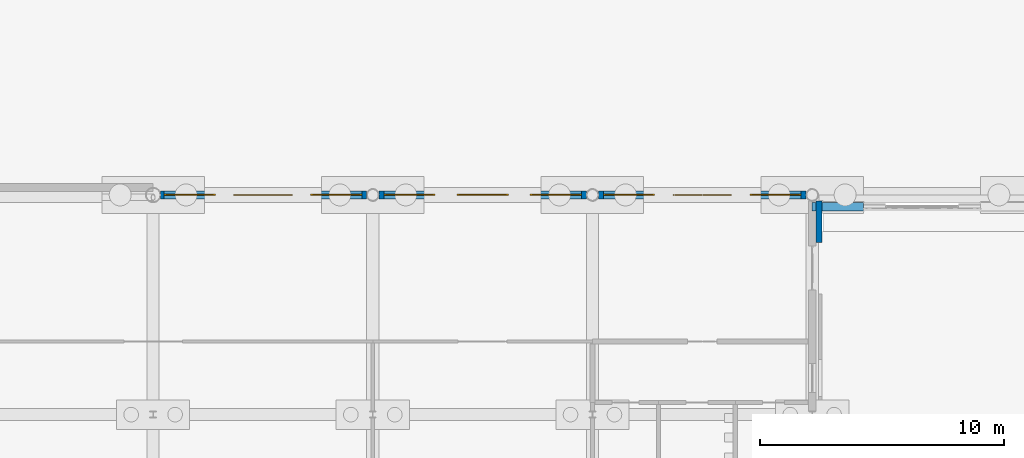
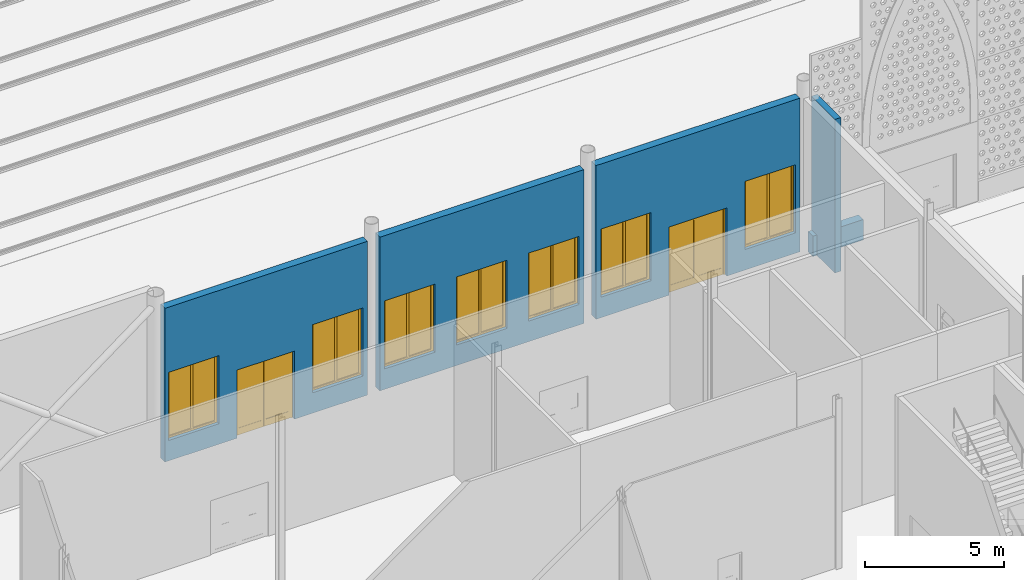
# One storey, part 120 of 250: 7 windows, 5 walls, 2 doors, 9 openings.
"""IFC4 building model written with IfcOpenShell, lengths in metres."""

from ifc_helpers import new_model, si_unit, direction, frame, frame_2d, origin, place, context, subcontext, project, spatial, polyline, rectangle, outline, extrude, material, layer, layer_set, type_object, element, fill, save


model = new_model("IFC4")

# Units and contexts
model_context = context("Model", 3, precision=1e-05, world=origin(), true_north=direction((0.0, 1.0)))
body_context = subcontext(model_context, "Body", "Model", "MODEL_VIEW")
ifc_project = project(units=[si_unit("LENGTHUNIT", "METRE"), si_unit("AREAUNIT", "SQUARE_METRE"), si_unit("VOLUMEUNIT", "CUBIC_METRE"), si_unit("PLANEANGLEUNIT", "RADIAN"), si_unit("MASSUNIT", "GRAM", prefix="KILO")], contexts=[model_context])

# Site, building, storey
site_placement = place(None, origin())
site = spatial("IfcSite", under=ifc_project, at=site_placement, CompositionType="ELEMENT")
building_placement = place(site_placement, origin())
building = spatial("IfcBuilding", under=site, at=building_placement, Name="Baradari Gate Terminus", CompositionType="ELEMENT")
storey_placement = place(building_placement, origin())
storey = spatial("IfcBuildingStorey", under=building, at=storey_placement, Name="L00", CompositionType="ELEMENT", Elevation=0.0)

# Walls
ifc_material_1 = material(Name="Concrete C40/50 precast", Category="concrete")
ifc_layer_1 = layer(ifc_material_1, 0.3)
ifc_material_2 = material(Name="Reconstituted stone", Category="masonry")
ifc_layer_2 = layer(ifc_material_2, 0.05)
ifc_layer_set_1 = layer_set([ifc_layer_1, ifc_layer_2], Name="Concrete C40/50 precast")
wall_type_1 = type_object("IfcWallType", Name="Jali screen base wall WJ-1 350", PredefinedType="SOLIDWALL", material=ifc_layer_set_1)
wall_1_placement = place(storey_placement, frame((153.0, 35.52001953125, 0.0), z_axis=(0.0, 0.0, 1.0), x_axis=(1.0, 0.0, 0.0)))
element("IfcWall", 1, at=wall_1_placement, inside=storey, type_object=wall_type_1, Name="Jali screen base wall SC bay 1", PredefinedType="SOLIDWALL", context=body_context, shape_type="SweptSolid", body=[
    extrude(rectangle(XDim=2.10009765625, YDim=0.35009765625, at=frame_2d((1.050048828125, 0.0))), origin(), (0.0, 0.0, 1.0), 0.89990234375),
])
ifc_material_3 = material(Name="Laterite masonry", Category="masonry")
ifc_layer_3 = layer(ifc_material_3, 0.25)
ifc_layer_set_2 = layer_set([ifc_layer_3], Name="Laterite masonry")
wall_type_2 = type_object("IfcWallType", Name="Laterite masonry wall WP-1 250", PredefinedType="SOLIDWALL", material=ifc_layer_set_2)
wall_2_placement = place(storey_placement, frame((153.284912109375, 34.050048828125, 0.0), z_axis=(0.0, 0.0, 1.0), x_axis=(0.0, 1.0, 0.0)))
element("IfcWall", 2, at=wall_2_placement, inside=storey, type_object=wall_type_2, Name="Front course SE 1b 1", PredefinedType="SOLIDWALL", context=body_context, shape_type="SweptSolid", body=[
    extrude(outline(polyline([(0.0, 0.0), (1.696044921875, 0.0), (1.696044921875, 6.767333984375), (0.0, 6.767333984375), (0.0, 0.0)])), frame((0.0, 0.125, 0.0), z_axis=(0.0, -1.0, 0.0), x_axis=(1.0, 0.0, 0.0)), (0.0, 0.0, 1.0), 0.25),
])

# Wall, openings, door, windows
ifc_material_4 = material(Name="Sandstone masonry", Category="masonry")
ifc_layer_4 = layer(ifc_material_4, 0.320068359375)
ifc_layer_set_3 = layer_set([ifc_layer_4], Name="Sandstone masonry")
wall_type_3 = type_object("IfcWallType", Name="Sandstone masonry wall WS-3 320", PredefinedType="SOLIDWALL", material=ifc_layer_set_3)
wall_3_placement = place(storey_placement, frame((126.304931640625, 36.0, 0.0), z_axis=(0.0, 0.0, 1.0), x_axis=(1.0, 0.0, 0.0)))
wall_3 = element("IfcWall", 3, at=wall_3_placement, inside=storey, type_object=wall_type_3, Name="platform side SN bay 15 L00", PredefinedType="SOLIDWALL", context=body_context, shape_type="SweptSolid", body=[
    extrude(rectangle(XDim=8.441162109375, YDim=0.320068359375, at=frame_2d((4.220703125, 0.0))), origin(), (0.0, 0.0, 1.0), 6.767333984375),
])
opening_1_placement = place(wall_3_placement, frame((2.9951171875, 0.0, 0.0)))
opening_1 = element("IfcOpeningElement", 4, at=opening_1_placement, cuts=wall_3, Name="Opening D00-056", PredefinedType="OPENING", context=body_context, shape_type="SweptSolid", body=[
    extrude(rectangle(XDim=2.39990234375, YDim=3.0, at=frame_2d((1.199951171875, 1.5))), frame((0.0, 0.169921875, 0.0), z_axis=(0.0, -1.0, 0.0), x_axis=(1.0, 0.0, 0.0)), (0.0, 0.0, 1.0), 0.340087890625),
])
opening_2_placement = place(wall_3_placement, frame((0.14501953125, 0.0, 0.89990234375)))
opening_2 = element("IfcOpeningElement", 5, at=opening_2_placement, cuts=wall_3, Name="Opening W8", PredefinedType="OPENING", context=body_context, shape_type="SweptSolid", body=[
    extrude(rectangle(XDim=2.10009765625, YDim=3.0, at=frame_2d((1.050048828125, 1.5))), frame((0.0, 0.169921875, 0.0), z_axis=(0.0, -1.0, 0.0), x_axis=(1.0, 0.0, 0.0)), (0.0, 0.0, 1.0), 0.340087890625),
])
opening_3_placement = place(wall_3_placement, frame((6.14501953125, 0.0, 0.89990234375)))
opening_3 = element("IfcOpeningElement", 6, at=opening_3_placement, cuts=wall_3, Name="Opening W8", PredefinedType="OPENING", context=body_context, shape_type="SweptSolid", body=[
    extrude(rectangle(XDim=2.10009765625, YDim=3.0, at=frame_2d((1.050048828125, 1.5))), frame((0.0, 0.169921875, 0.0), z_axis=(0.0, -1.0, 0.0), x_axis=(1.0, 0.0, 0.0)), (0.0, 0.0, 1.0), 0.340087890625),
])
ifc_material_5 = material(Name="Aluminium 6063-T6", Category="aluminium")
door_type = type_object("IfcDoorType", Name="Platform door pair, glazed DT-7 2400x3000", OperationType="DOUBLE_DOOR_SINGLE_SWING", PredefinedType="DOOR", material=ifc_material_5)
door_1_placement = place(opening_1_placement, origin())
door_1 = element("IfcDoor", 7, at=door_1_placement, inside=storey, type_object=door_type, Name="Exit door Corridor (Platform Passage South)", OperationType="DOUBLE_DOOR_SINGLE_SWING", OverallHeight=3.0, OverallWidth=2.4, PredefinedType="DOOR", context=body_context, shape_type="SweptSolid", body=[
    extrude(outline(polyline([(0.0, 0.0), (0.070068359375, 0.0), (0.070068359375, 2.929931640625), (2.329833984375, 2.929931640625), (2.329833984375, 0.0), (2.39990234375, 0.0), (2.39990234375, 3.0), (0.0, 3.0), (0.0, 0.0)])), frame((0.0, 0.02490234375, 0.0), z_axis=(0.0, -1.0, 0.0), x_axis=(1.0, 0.0, 0.0)), (0.0, 0.0, 1.0), 0.050048828125),
    extrude(outline(polyline([(0.073974609375, 0.010009765625), (1.19677734375, 0.010009765625), (1.19677734375, 2.926025390625), (0.073974609375, 2.926025390625), (0.073974609375, 0.010009765625)]), holes=[polyline([(0.1640625, 0.31005859375), (1.10693359375, 0.31005859375), (1.10693359375, 2.8359375), (0.1640625, 2.8359375), (0.1640625, 0.31005859375)])]), frame((0.0, 0.017333984375, 0.0), z_axis=(0.0, -1.0, 0.0), x_axis=(1.0, 0.0, 0.0)), (0.0, 0.0, 1.0), 0.034912109375),
    extrude(rectangle(XDim=0.94287109375, YDim=2.52587890625, at=frame_2d((0.635498046875, 1.572998046875))), frame((0.0, 0.005859375, 0.0), z_axis=(0.0, -1.0, 0.0), x_axis=(1.0, 0.0, 0.0)), (0.0, 0.0, 1.0), 0.011962890625),
    extrude(outline(polyline([(1.203125, 0.010009765625), (2.325927734375, 0.010009765625), (2.325927734375, 2.926025390625), (1.203125, 2.926025390625), (1.203125, 0.010009765625)]), holes=[polyline([(1.29296875, 0.31005859375), (2.23583984375, 0.31005859375), (2.23583984375, 2.8359375), (1.29296875, 2.8359375), (1.29296875, 0.31005859375)])]), frame((0.0, 0.017333984375, 0.0), z_axis=(0.0, -1.0, 0.0), x_axis=(1.0, 0.0, 0.0)), (0.0, 0.0, 1.0), 0.034912109375),
    extrude(rectangle(XDim=0.94287109375, YDim=2.52587890625, at=frame_2d((1.764404296875, 1.572998046875))), frame((0.0, 0.005859375, 0.0), z_axis=(0.0, -1.0, 0.0), x_axis=(1.0, 0.0, 0.0)), (0.0, 0.0, 1.0), 0.011962890625),
])
fill(opening_1, door_1)
ifc_material_6 = material(Name="Aluminium 6063-T6", Category="aluminium")
window_type = type_object("IfcWindowType", Name="Platform-side window, 2-light W8 2100x3000", PartitioningType="DOUBLE_PANEL_VERTICAL", PredefinedType="WINDOW", material=ifc_material_6)
window_1_placement = place(opening_2_placement, origin())
window_1 = element("IfcWindow", 8, at=window_1_placement, inside=storey, type_object=window_type, Name="Window W8 SN/14", OverallHeight=3.0, OverallWidth=2.1, PartitioningType="DOUBLE_PANEL_VERTICAL", PredefinedType="WINDOW", context=body_context, shape_type="SweptSolid", body=[
    extrude(outline(polyline([(0.0, 0.0), (2.10009765625, 0.0), (2.10009765625, 3.0), (0.0, 3.0), (0.0, 0.0)]), holes=[polyline([(0.070068359375, 0.070068359375), (2.030029296875, 0.070068359375), (2.030029296875, 2.929931640625), (0.070068359375, 2.929931640625), (0.070068359375, 0.070068359375)])]), frame((0.0, 0.030029296875, 0.0), z_axis=(0.0, -1.0, 0.0), x_axis=(1.0, 0.0, 0.0)), (0.0, 0.0, 1.0), 0.06005859375),
    extrude(rectangle(XDim=0.0400390625, YDim=2.85986328125, at=frame_2d((1.050048828125, 1.5))), frame((0.0, 0.02197265625, 0.0), z_axis=(0.0, -1.0, 0.0), x_axis=(1.0, 0.0, 0.0)), (0.0, 0.0, 1.0), 0.0439453125),
    extrude(outline(polyline([(0.070068359375, 0.070068359375), (1.030029296875, 0.070068359375), (1.030029296875, 2.929931640625), (0.070068359375, 2.929931640625), (0.070068359375, 0.070068359375)]), holes=[polyline([(0.10009765625, 0.10009765625), (1.0, 0.10009765625), (1.0, 2.89990234375), (0.10009765625, 2.89990234375), (0.10009765625, 0.10009765625)])]), frame((0.0, 0.0224609375, 0.0), z_axis=(0.0, -1.0, 0.0), x_axis=(1.0, 0.0, 0.0)), (0.0, 0.0, 1.0), 0.044921875),
    extrude(rectangle(XDim=0.89990234375, YDim=2.7998046875, at=frame_2d((0.550048828125, 1.5))), frame((0.0, 0.006103515625, 0.0), z_axis=(0.0, -1.0, 0.0), x_axis=(1.0, 0.0, 0.0)), (0.0, 0.0, 1.0), 0.01220703125),
    extrude(outline(polyline([(1.070068359375, 0.070068359375), (2.030029296875, 0.070068359375), (2.030029296875, 2.929931640625), (1.070068359375, 2.929931640625), (1.070068359375, 0.070068359375)]), holes=[polyline([(1.10009765625, 0.10009765625), (2.0, 0.10009765625), (2.0, 2.89990234375), (1.10009765625, 2.89990234375), (1.10009765625, 0.10009765625)])]), frame((0.0, 0.0224609375, 0.0), z_axis=(0.0, -1.0, 0.0), x_axis=(1.0, 0.0, 0.0)), (0.0, 0.0, 1.0), 0.044921875),
    extrude(rectangle(XDim=0.89990234375, YDim=2.7998046875, at=frame_2d((1.550048828125, 1.5))), frame((0.0, 0.006103515625, 0.0), z_axis=(0.0, -1.0, 0.0), x_axis=(1.0, 0.0, 0.0)), (0.0, 0.0, 1.0), 0.01220703125),
])
fill(opening_2, window_1)
window_2_placement = place(opening_3_placement, origin())
window_2 = element("IfcWindow", 9, at=window_2_placement, inside=storey, type_object=window_type, Name="Window W8 SN/14", OverallHeight=3.0, OverallWidth=2.1, PartitioningType="DOUBLE_PANEL_VERTICAL", PredefinedType="WINDOW", context=body_context, shape_type="SweptSolid", body=[
    extrude(outline(polyline([(0.0, 0.0), (2.10009765625, 0.0), (2.10009765625, 3.0), (0.0, 3.0), (0.0, 0.0)]), holes=[polyline([(0.070068359375, 0.070068359375), (2.030029296875, 0.070068359375), (2.030029296875, 2.929931640625), (0.070068359375, 2.929931640625), (0.070068359375, 0.070068359375)])]), frame((0.0, 0.030029296875, 0.0), z_axis=(0.0, -1.0, 0.0), x_axis=(1.0, 0.0, 0.0)), (0.0, 0.0, 1.0), 0.06005859375),
    extrude(rectangle(XDim=0.0400390625, YDim=2.85986328125, at=frame_2d((1.050048828125, 1.5))), frame((0.0, 0.02197265625, 0.0), z_axis=(0.0, -1.0, 0.0), x_axis=(1.0, 0.0, 0.0)), (0.0, 0.0, 1.0), 0.0439453125),
    extrude(outline(polyline([(0.070068359375, 0.070068359375), (1.030029296875, 0.070068359375), (1.030029296875, 2.929931640625), (0.070068359375, 2.929931640625), (0.070068359375, 0.070068359375)]), holes=[polyline([(0.10009765625, 0.10009765625), (1.0, 0.10009765625), (1.0, 2.89990234375), (0.10009765625, 2.89990234375), (0.10009765625, 0.10009765625)])]), frame((0.0, 0.0224609375, 0.0), z_axis=(0.0, -1.0, 0.0), x_axis=(1.0, 0.0, 0.0)), (0.0, 0.0, 1.0), 0.044921875),
    extrude(rectangle(XDim=0.89990234375, YDim=2.7998046875, at=frame_2d((0.550048828125, 1.5))), frame((0.0, 0.006103515625, 0.0), z_axis=(0.0, -1.0, 0.0), x_axis=(1.0, 0.0, 0.0)), (0.0, 0.0, 1.0), 0.01220703125),
    extrude(outline(polyline([(1.070068359375, 0.070068359375), (2.030029296875, 0.070068359375), (2.030029296875, 2.929931640625), (1.070068359375, 2.929931640625), (1.070068359375, 0.070068359375)]), holes=[polyline([(1.10009765625, 0.10009765625), (2.0, 0.10009765625), (2.0, 2.89990234375), (1.10009765625, 2.89990234375), (1.10009765625, 0.10009765625)])]), frame((0.0, 0.0224609375, 0.0), z_axis=(0.0, -1.0, 0.0), x_axis=(1.0, 0.0, 0.0)), (0.0, 0.0, 1.0), 0.044921875),
    extrude(rectangle(XDim=0.89990234375, YDim=2.7998046875, at=frame_2d((1.550048828125, 1.5))), frame((0.0, 0.006103515625, 0.0), z_axis=(0.0, -1.0, 0.0), x_axis=(1.0, 0.0, 0.0)), (0.0, 0.0, 1.0), 0.01220703125),
])
fill(opening_3, window_2)

# Wall, openings, windows
wall_4_placement = place(storey_placement, frame((135.25390625, 36.0, 0.0), z_axis=(0.0, 0.0, 1.0), x_axis=(1.0, 0.0, 0.0)))
wall_4 = element("IfcWall", 10, at=wall_4_placement, inside=storey, type_object=wall_type_3, Name="platform side wall SN bay 16 L00", PredefinedType="SOLIDWALL", context=body_context, shape_type="SweptSolid", body=[
    extrude(rectangle(XDim=8.4921875, YDim=0.320068359375, at=frame_2d((4.24609375, 0.0))), origin(), (0.0, 0.0, 1.0), 6.767333984375),
])
opening_4_placement = place(wall_4_placement, frame((0.196044921875, 0.0, 0.89990234375)))
opening_4 = element("IfcOpeningElement", 11, at=opening_4_placement, cuts=wall_4, Name="Opening W8", PredefinedType="OPENING", context=body_context, shape_type="SweptSolid", body=[
    extrude(rectangle(XDim=2.10009765625, YDim=3.0, at=frame_2d((1.050048828125, 1.5))), frame((0.0, 0.169921875, 0.0), z_axis=(0.0, -1.0, 0.0), x_axis=(1.0, 0.0, 0.0)), (0.0, 0.0, 1.0), 0.340087890625),
])
opening_5_placement = place(wall_4_placement, frame((3.196044921875, 0.0, 0.89990234375)))
opening_5 = element("IfcOpeningElement", 12, at=opening_5_placement, cuts=wall_4, Name="Opening W8", PredefinedType="OPENING", context=body_context, shape_type="SweptSolid", body=[
    extrude(rectangle(XDim=2.10009765625, YDim=3.0, at=frame_2d((1.050048828125, 1.5))), frame((0.0, 0.169921875, 0.0), z_axis=(0.0, -1.0, 0.0), x_axis=(1.0, 0.0, 0.0)), (0.0, 0.0, 1.0), 0.340087890625),
])
opening_6_placement = place(wall_4_placement, frame((6.196044921875, 0.0, 0.89990234375)))
opening_6 = element("IfcOpeningElement", 13, at=opening_6_placement, cuts=wall_4, Name="Opening W8", PredefinedType="OPENING", context=body_context, shape_type="SweptSolid", body=[
    extrude(rectangle(XDim=2.10009765625, YDim=3.0, at=frame_2d((1.050048828125, 1.5))), frame((0.0, 0.169921875, 0.0), z_axis=(0.0, -1.0, 0.0), x_axis=(1.0, 0.0, 0.0)), (0.0, 0.0, 1.0), 0.340087890625),
])
window_3_placement = place(opening_4_placement, origin())
window_3 = element("IfcWindow", 14, at=window_3_placement, inside=storey, type_object=window_type, Name="Window W8 SN/15", OverallHeight=3.0, OverallWidth=2.1, PartitioningType="DOUBLE_PANEL_VERTICAL", PredefinedType="WINDOW", context=body_context, shape_type="SweptSolid", body=[
    extrude(outline(polyline([(0.0, 0.0), (2.10009765625, 0.0), (2.10009765625, 3.0), (0.0, 3.0), (0.0, 0.0)]), holes=[polyline([(0.070068359375, 0.070068359375), (2.030029296875, 0.070068359375), (2.030029296875, 2.929931640625), (0.070068359375, 2.929931640625), (0.070068359375, 0.070068359375)])]), frame((0.0, 0.030029296875, 0.0), z_axis=(0.0, -1.0, 0.0), x_axis=(1.0, 0.0, 0.0)), (0.0, 0.0, 1.0), 0.06005859375),
    extrude(rectangle(XDim=0.0400390625, YDim=2.85986328125, at=frame_2d((1.050048828125, 1.5))), frame((0.0, 0.02197265625, 0.0), z_axis=(0.0, -1.0, 0.0), x_axis=(1.0, 0.0, 0.0)), (0.0, 0.0, 1.0), 0.0439453125),
    extrude(outline(polyline([(0.070068359375, 0.070068359375), (1.030029296875, 0.070068359375), (1.030029296875, 2.929931640625), (0.070068359375, 2.929931640625), (0.070068359375, 0.070068359375)]), holes=[polyline([(0.10009765625, 0.10009765625), (1.0, 0.10009765625), (1.0, 2.89990234375), (0.10009765625, 2.89990234375), (0.10009765625, 0.10009765625)])]), frame((0.0, 0.0224609375, 0.0), z_axis=(0.0, -1.0, 0.0), x_axis=(1.0, 0.0, 0.0)), (0.0, 0.0, 1.0), 0.044921875),
    extrude(rectangle(XDim=0.89990234375, YDim=2.7998046875, at=frame_2d((0.550048828125, 1.5))), frame((0.0, 0.006103515625, 0.0), z_axis=(0.0, -1.0, 0.0), x_axis=(1.0, 0.0, 0.0)), (0.0, 0.0, 1.0), 0.01220703125),
    extrude(outline(polyline([(1.070068359375, 0.070068359375), (2.030029296875, 0.070068359375), (2.030029296875, 2.929931640625), (1.070068359375, 2.929931640625), (1.070068359375, 0.070068359375)]), holes=[polyline([(1.10009765625, 0.10009765625), (2.0, 0.10009765625), (2.0, 2.89990234375), (1.10009765625, 2.89990234375), (1.10009765625, 0.10009765625)])]), frame((0.0, 0.0224609375, 0.0), z_axis=(0.0, -1.0, 0.0), x_axis=(1.0, 0.0, 0.0)), (0.0, 0.0, 1.0), 0.044921875),
    extrude(rectangle(XDim=0.89990234375, YDim=2.7998046875, at=frame_2d((1.550048828125, 1.5))), frame((0.0, 0.006103515625, 0.0), z_axis=(0.0, -1.0, 0.0), x_axis=(1.0, 0.0, 0.0)), (0.0, 0.0, 1.0), 0.01220703125),
])
fill(opening_4, window_3)
window_4_placement = place(opening_5_placement, origin())
window_4 = element("IfcWindow", 15, at=window_4_placement, inside=storey, type_object=window_type, Name="Window W8 SN/15", OverallHeight=3.0, OverallWidth=2.1, PartitioningType="DOUBLE_PANEL_VERTICAL", PredefinedType="WINDOW", context=body_context, shape_type="SweptSolid", body=[
    extrude(outline(polyline([(0.0, 0.0), (2.10009765625, 0.0), (2.10009765625, 3.0), (0.0, 3.0), (0.0, 0.0)]), holes=[polyline([(0.070068359375, 0.070068359375), (2.030029296875, 0.070068359375), (2.030029296875, 2.929931640625), (0.070068359375, 2.929931640625), (0.070068359375, 0.070068359375)])]), frame((0.0, 0.030029296875, 0.0), z_axis=(0.0, -1.0, 0.0), x_axis=(1.0, 0.0, 0.0)), (0.0, 0.0, 1.0), 0.06005859375),
    extrude(rectangle(XDim=0.0400390625, YDim=2.85986328125, at=frame_2d((1.050048828125, 1.5))), frame((0.0, 0.02197265625, 0.0), z_axis=(0.0, -1.0, 0.0), x_axis=(1.0, 0.0, 0.0)), (0.0, 0.0, 1.0), 0.0439453125),
    extrude(outline(polyline([(0.070068359375, 0.070068359375), (1.030029296875, 0.070068359375), (1.030029296875, 2.929931640625), (0.070068359375, 2.929931640625), (0.070068359375, 0.070068359375)]), holes=[polyline([(0.10009765625, 0.10009765625), (1.0, 0.10009765625), (1.0, 2.89990234375), (0.10009765625, 2.89990234375), (0.10009765625, 0.10009765625)])]), frame((0.0, 0.0224609375, 0.0), z_axis=(0.0, -1.0, 0.0), x_axis=(1.0, 0.0, 0.0)), (0.0, 0.0, 1.0), 0.044921875),
    extrude(rectangle(XDim=0.89990234375, YDim=2.7998046875, at=frame_2d((0.550048828125, 1.5))), frame((0.0, 0.006103515625, 0.0), z_axis=(0.0, -1.0, 0.0), x_axis=(1.0, 0.0, 0.0)), (0.0, 0.0, 1.0), 0.01220703125),
    extrude(outline(polyline([(1.070068359375, 0.070068359375), (2.030029296875, 0.070068359375), (2.030029296875, 2.929931640625), (1.070068359375, 2.929931640625), (1.070068359375, 0.070068359375)]), holes=[polyline([(1.10009765625, 0.10009765625), (2.0, 0.10009765625), (2.0, 2.89990234375), (1.10009765625, 2.89990234375), (1.10009765625, 0.10009765625)])]), frame((0.0, 0.0224609375, 0.0), z_axis=(0.0, -1.0, 0.0), x_axis=(1.0, 0.0, 0.0)), (0.0, 0.0, 1.0), 0.044921875),
    extrude(rectangle(XDim=0.89990234375, YDim=2.7998046875, at=frame_2d((1.550048828125, 1.5))), frame((0.0, 0.006103515625, 0.0), z_axis=(0.0, -1.0, 0.0), x_axis=(1.0, 0.0, 0.0)), (0.0, 0.0, 1.0), 0.01220703125),
])
fill(opening_5, window_4)
window_5_placement = place(opening_6_placement, origin())
window_5 = element("IfcWindow", 16, at=window_5_placement, inside=storey, type_object=window_type, Name="Window W8 SN/15", OverallHeight=3.0, OverallWidth=2.1, PartitioningType="DOUBLE_PANEL_VERTICAL", PredefinedType="WINDOW", context=body_context, shape_type="SweptSolid", body=[
    extrude(outline(polyline([(0.0, 0.0), (2.10009765625, 0.0), (2.10009765625, 3.0), (0.0, 3.0), (0.0, 0.0)]), holes=[polyline([(0.070068359375, 0.070068359375), (2.030029296875, 0.070068359375), (2.030029296875, 2.929931640625), (0.070068359375, 2.929931640625), (0.070068359375, 0.070068359375)])]), frame((0.0, 0.030029296875, 0.0), z_axis=(0.0, -1.0, 0.0), x_axis=(1.0, 0.0, 0.0)), (0.0, 0.0, 1.0), 0.06005859375),
    extrude(rectangle(XDim=0.0400390625, YDim=2.85986328125, at=frame_2d((1.050048828125, 1.5))), frame((0.0, 0.02197265625, 0.0), z_axis=(0.0, -1.0, 0.0), x_axis=(1.0, 0.0, 0.0)), (0.0, 0.0, 1.0), 0.0439453125),
    extrude(outline(polyline([(0.070068359375, 0.070068359375), (1.030029296875, 0.070068359375), (1.030029296875, 2.929931640625), (0.070068359375, 2.929931640625), (0.070068359375, 0.070068359375)]), holes=[polyline([(0.10009765625, 0.10009765625), (1.0, 0.10009765625), (1.0, 2.89990234375), (0.10009765625, 2.89990234375), (0.10009765625, 0.10009765625)])]), frame((0.0, 0.0224609375, 0.0), z_axis=(0.0, -1.0, 0.0), x_axis=(1.0, 0.0, 0.0)), (0.0, 0.0, 1.0), 0.044921875),
    extrude(rectangle(XDim=0.89990234375, YDim=2.7998046875, at=frame_2d((0.550048828125, 1.5))), frame((0.0, 0.006103515625, 0.0), z_axis=(0.0, -1.0, 0.0), x_axis=(1.0, 0.0, 0.0)), (0.0, 0.0, 1.0), 0.01220703125),
    extrude(outline(polyline([(1.070068359375, 0.070068359375), (2.030029296875, 0.070068359375), (2.030029296875, 2.929931640625), (1.070068359375, 2.929931640625), (1.070068359375, 0.070068359375)]), holes=[polyline([(1.10009765625, 0.10009765625), (2.0, 0.10009765625), (2.0, 2.89990234375), (1.10009765625, 2.89990234375), (1.10009765625, 0.10009765625)])]), frame((0.0, 0.0224609375, 0.0), z_axis=(0.0, -1.0, 0.0), x_axis=(1.0, 0.0, 0.0)), (0.0, 0.0, 1.0), 0.044921875),
    extrude(rectangle(XDim=0.89990234375, YDim=2.7998046875, at=frame_2d((1.550048828125, 1.5))), frame((0.0, 0.006103515625, 0.0), z_axis=(0.0, -1.0, 0.0), x_axis=(1.0, 0.0, 0.0)), (0.0, 0.0, 1.0), 0.01220703125),
])
fill(opening_6, window_5)

# Wall, openings, door, windows
wall_5_placement = place(storey_placement, frame((144.25390625, 36.0, 0.0), z_axis=(0.0, 0.0, 1.0), x_axis=(1.0, 0.0, 0.0)))
wall_5 = element("IfcWall", 17, at=wall_5_placement, inside=storey, type_object=wall_type_3, Name="platform side SN bay 17 L00", PredefinedType="SOLIDWALL", context=body_context, shape_type="SweptSolid", body=[
    extrude(rectangle(XDim=8.4921875, YDim=0.320068359375, at=frame_2d((4.24609375, 0.0))), origin(), (0.0, 0.0, 1.0), 6.767333984375),
])
opening_7_placement = place(wall_5_placement, frame((3.0458984375, 0.0, 0.0)))
opening_7 = element("IfcOpeningElement", 18, at=opening_7_placement, cuts=wall_5, Name="Opening D00-057", PredefinedType="OPENING", context=body_context, shape_type="SweptSolid", body=[
    extrude(rectangle(XDim=2.39990234375, YDim=3.0, at=frame_2d((1.199951171875, 1.5))), frame((0.0, 0.169921875, 0.0), z_axis=(0.0, -1.0, 0.0), x_axis=(1.0, 0.0, 0.0)), (0.0, 0.0, 1.0), 0.340087890625),
])
opening_8_placement = place(wall_5_placement, frame((0.196044921875, 0.0, 0.89990234375)))
opening_8 = element("IfcOpeningElement", 19, at=opening_8_placement, cuts=wall_5, Name="Opening W8", PredefinedType="OPENING", context=body_context, shape_type="SweptSolid", body=[
    extrude(rectangle(XDim=2.10009765625, YDim=3.0, at=frame_2d((1.050048828125, 1.5))), frame((0.0, 0.169921875, 0.0), z_axis=(0.0, -1.0, 0.0), x_axis=(1.0, 0.0, 0.0)), (0.0, 0.0, 1.0), 0.340087890625),
])
opening_9_placement = place(wall_5_placement, frame((6.196044921875, 0.0, 0.89990234375)))
opening_9 = element("IfcOpeningElement", 20, at=opening_9_placement, cuts=wall_5, Name="Opening W8", PredefinedType="OPENING", context=body_context, shape_type="SweptSolid", body=[
    extrude(rectangle(XDim=2.10009765625, YDim=3.0, at=frame_2d((1.050048828125, 1.5))), frame((0.0, 0.169921875, 0.0), z_axis=(0.0, -1.0, 0.0), x_axis=(1.0, 0.0, 0.0)), (0.0, 0.0, 1.0), 0.340087890625),
])
door_2_placement = place(opening_7_placement, origin())
door_2 = element("IfcDoor", 21, at=door_2_placement, inside=storey, type_object=door_type, Name="Exit door Corridor (Platform Passage South)", OperationType="DOUBLE_DOOR_SINGLE_SWING", OverallHeight=3.0, OverallWidth=2.4, PredefinedType="DOOR", context=body_context, shape_type="SweptSolid", body=[
    extrude(outline(polyline([(0.0, 0.0), (0.070068359375, 0.0), (0.070068359375, 2.929931640625), (2.329833984375, 2.929931640625), (2.329833984375, 0.0), (2.39990234375, 0.0), (2.39990234375, 3.0), (0.0, 3.0), (0.0, 0.0)])), frame((0.0, 0.02490234375, 0.0), z_axis=(0.0, -1.0, 0.0), x_axis=(1.0, 0.0, 0.0)), (0.0, 0.0, 1.0), 0.050048828125),
    extrude(outline(polyline([(0.073974609375, 0.010009765625), (1.19677734375, 0.010009765625), (1.19677734375, 2.926025390625), (0.073974609375, 2.926025390625), (0.073974609375, 0.010009765625)]), holes=[polyline([(0.1640625, 0.31005859375), (1.10693359375, 0.31005859375), (1.10693359375, 2.8359375), (0.1640625, 2.8359375), (0.1640625, 0.31005859375)])]), frame((0.0, 0.017333984375, 0.0), z_axis=(0.0, -1.0, 0.0), x_axis=(1.0, 0.0, 0.0)), (0.0, 0.0, 1.0), 0.034912109375),
    extrude(rectangle(XDim=0.94287109375, YDim=2.52587890625, at=frame_2d((0.635498046875, 1.572998046875))), frame((0.0, 0.005859375, 0.0), z_axis=(0.0, -1.0, 0.0), x_axis=(1.0, 0.0, 0.0)), (0.0, 0.0, 1.0), 0.011962890625),
    extrude(outline(polyline([(1.203125, 0.010009765625), (2.325927734375, 0.010009765625), (2.325927734375, 2.926025390625), (1.203125, 2.926025390625), (1.203125, 0.010009765625)]), holes=[polyline([(1.29296875, 0.31005859375), (2.23583984375, 0.31005859375), (2.23583984375, 2.8359375), (1.29296875, 2.8359375), (1.29296875, 0.31005859375)])]), frame((0.0, 0.017333984375, 0.0), z_axis=(0.0, -1.0, 0.0), x_axis=(1.0, 0.0, 0.0)), (0.0, 0.0, 1.0), 0.034912109375),
    extrude(rectangle(XDim=0.94287109375, YDim=2.52587890625, at=frame_2d((1.764404296875, 1.572998046875))), frame((0.0, 0.005859375, 0.0), z_axis=(0.0, -1.0, 0.0), x_axis=(1.0, 0.0, 0.0)), (0.0, 0.0, 1.0), 0.011962890625),
])
fill(opening_7, door_2)
window_6_placement = place(opening_8_placement, origin())
window_6 = element("IfcWindow", 22, at=window_6_placement, inside=storey, type_object=window_type, Name="Window W8 SN/16", OverallHeight=3.0, OverallWidth=2.1, PartitioningType="DOUBLE_PANEL_VERTICAL", PredefinedType="WINDOW", context=body_context, shape_type="SweptSolid", body=[
    extrude(outline(polyline([(0.0, 0.0), (2.10009765625, 0.0), (2.10009765625, 3.0), (0.0, 3.0), (0.0, 0.0)]), holes=[polyline([(0.070068359375, 0.070068359375), (2.030029296875, 0.070068359375), (2.030029296875, 2.929931640625), (0.070068359375, 2.929931640625), (0.070068359375, 0.070068359375)])]), frame((0.0, 0.030029296875, 0.0), z_axis=(0.0, -1.0, 0.0), x_axis=(1.0, 0.0, 0.0)), (0.0, 0.0, 1.0), 0.06005859375),
    extrude(rectangle(XDim=0.0400390625, YDim=2.85986328125, at=frame_2d((1.050048828125, 1.5))), frame((0.0, 0.02197265625, 0.0), z_axis=(0.0, -1.0, 0.0), x_axis=(1.0, 0.0, 0.0)), (0.0, 0.0, 1.0), 0.0439453125),
    extrude(outline(polyline([(0.070068359375, 0.070068359375), (1.030029296875, 0.070068359375), (1.030029296875, 2.929931640625), (0.070068359375, 2.929931640625), (0.070068359375, 0.070068359375)]), holes=[polyline([(0.10009765625, 0.10009765625), (1.0, 0.10009765625), (1.0, 2.89990234375), (0.10009765625, 2.89990234375), (0.10009765625, 0.10009765625)])]), frame((0.0, 0.0224609375, 0.0), z_axis=(0.0, -1.0, 0.0), x_axis=(1.0, 0.0, 0.0)), (0.0, 0.0, 1.0), 0.044921875),
    extrude(rectangle(XDim=0.89990234375, YDim=2.7998046875, at=frame_2d((0.550048828125, 1.5))), frame((0.0, 0.006103515625, 0.0), z_axis=(0.0, -1.0, 0.0), x_axis=(1.0, 0.0, 0.0)), (0.0, 0.0, 1.0), 0.01220703125),
    extrude(outline(polyline([(1.070068359375, 0.070068359375), (2.030029296875, 0.070068359375), (2.030029296875, 2.929931640625), (1.070068359375, 2.929931640625), (1.070068359375, 0.070068359375)]), holes=[polyline([(1.10009765625, 0.10009765625), (2.0, 0.10009765625), (2.0, 2.89990234375), (1.10009765625, 2.89990234375), (1.10009765625, 0.10009765625)])]), frame((0.0, 0.0224609375, 0.0), z_axis=(0.0, -1.0, 0.0), x_axis=(1.0, 0.0, 0.0)), (0.0, 0.0, 1.0), 0.044921875),
    extrude(rectangle(XDim=0.89990234375, YDim=2.7998046875, at=frame_2d((1.550048828125, 1.5))), frame((0.0, 0.006103515625, 0.0), z_axis=(0.0, -1.0, 0.0), x_axis=(1.0, 0.0, 0.0)), (0.0, 0.0, 1.0), 0.01220703125),
])
fill(opening_8, window_6)
window_7_placement = place(opening_9_placement, origin())
window_7 = element("IfcWindow", 23, at=window_7_placement, inside=storey, type_object=window_type, Name="Window W8 SN/16", OverallHeight=3.0, OverallWidth=2.1, PartitioningType="DOUBLE_PANEL_VERTICAL", PredefinedType="WINDOW", context=body_context, shape_type="SweptSolid", body=[
    extrude(outline(polyline([(0.0, 0.0), (2.10009765625, 0.0), (2.10009765625, 3.0), (0.0, 3.0), (0.0, 0.0)]), holes=[polyline([(0.070068359375, 0.070068359375), (2.030029296875, 0.070068359375), (2.030029296875, 2.929931640625), (0.070068359375, 2.929931640625), (0.070068359375, 0.070068359375)])]), frame((0.0, 0.030029296875, 0.0), z_axis=(0.0, -1.0, 0.0), x_axis=(1.0, 0.0, 0.0)), (0.0, 0.0, 1.0), 0.06005859375),
    extrude(rectangle(XDim=0.0400390625, YDim=2.85986328125, at=frame_2d((1.050048828125, 1.5))), frame((0.0, 0.02197265625, 0.0), z_axis=(0.0, -1.0, 0.0), x_axis=(1.0, 0.0, 0.0)), (0.0, 0.0, 1.0), 0.0439453125),
    extrude(outline(polyline([(0.070068359375, 0.070068359375), (1.030029296875, 0.070068359375), (1.030029296875, 2.929931640625), (0.070068359375, 2.929931640625), (0.070068359375, 0.070068359375)]), holes=[polyline([(0.10009765625, 0.10009765625), (1.0, 0.10009765625), (1.0, 2.89990234375), (0.10009765625, 2.89990234375), (0.10009765625, 0.10009765625)])]), frame((0.0, 0.0224609375, 0.0), z_axis=(0.0, -1.0, 0.0), x_axis=(1.0, 0.0, 0.0)), (0.0, 0.0, 1.0), 0.044921875),
    extrude(rectangle(XDim=0.89990234375, YDim=2.7998046875, at=frame_2d((0.550048828125, 1.5))), frame((0.0, 0.006103515625, 0.0), z_axis=(0.0, -1.0, 0.0), x_axis=(1.0, 0.0, 0.0)), (0.0, 0.0, 1.0), 0.01220703125),
    extrude(outline(polyline([(1.070068359375, 0.070068359375), (2.030029296875, 0.070068359375), (2.030029296875, 2.929931640625), (1.070068359375, 2.929931640625), (1.070068359375, 0.070068359375)]), holes=[polyline([(1.10009765625, 0.10009765625), (2.0, 0.10009765625), (2.0, 2.89990234375), (1.10009765625, 2.89990234375), (1.10009765625, 0.10009765625)])]), frame((0.0, 0.0224609375, 0.0), z_axis=(0.0, -1.0, 0.0), x_axis=(1.0, 0.0, 0.0)), (0.0, 0.0, 1.0), 0.044921875),
    extrude(rectangle(XDim=0.89990234375, YDim=2.7998046875, at=frame_2d((1.550048828125, 1.5))), frame((0.0, 0.006103515625, 0.0), z_axis=(0.0, -1.0, 0.0), x_axis=(1.0, 0.0, 0.0)), (0.0, 0.0, 1.0), 0.01220703125),
])
fill(opening_9, window_7)

save(model, "model.ifc")
